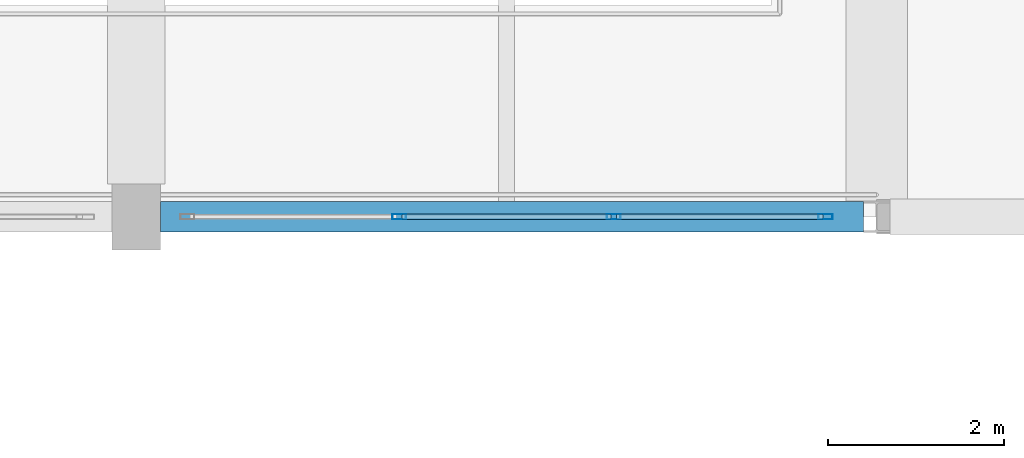
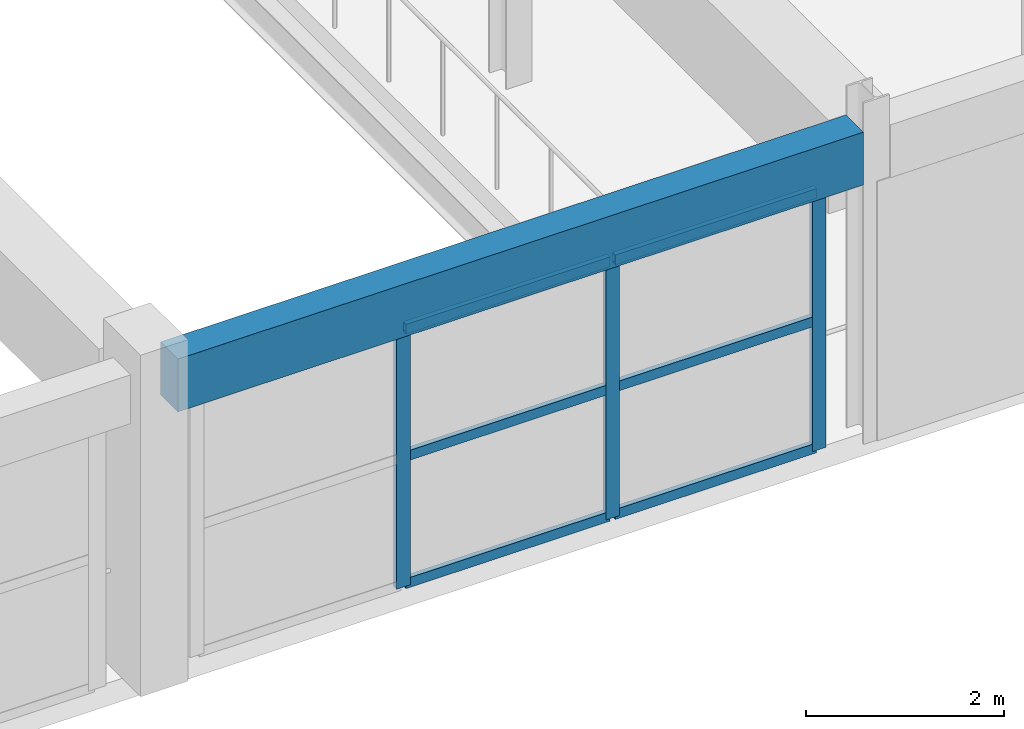
# One storey, part 21 of 71: 9 members, 1 beam, 1 element without a shape of its own.
"""IFC4 building model written with IfcOpenShell, lengths in metres."""

from ifc_helpers import new_model, si_unit, direction, frame, origin, origin_2d, place, context, subcontext, project, spatial, rectangle, hollow_rectangle, extrude, material, material_profile, profile_set, type_object, element, aggregate, save


model = new_model("IFC4")

# Units and contexts
model_context = context("Model", 3, precision=1e-05, world=origin(), true_north=direction((0.0, 1.0)))
body_context = subcontext(model_context, "Body", "Model", "MODEL_VIEW")
ifc_project = project(units=[si_unit("LENGTHUNIT", "METRE"), si_unit("AREAUNIT", "SQUARE_METRE"), si_unit("VOLUMEUNIT", "CUBIC_METRE"), si_unit("PLANEANGLEUNIT", "RADIAN"), si_unit("MASSUNIT", "GRAM", prefix="KILO")], contexts=[model_context])

# Site, building, storey
site_placement = place(None, origin())
site = spatial("IfcSite", under=ifc_project, at=site_placement, CompositionType="ELEMENT")
building_placement = place(site_placement, origin())
building = spatial("IfcBuilding", under=site, at=building_placement, Name="Korsvaeld Concert Hall", CompositionType="ELEMENT")
storey_placement = place(building_placement, frame((0.0, 0.0, 4.800048828125)))
storey = spatial("IfcBuildingStorey", under=building, at=storey_placement, Name="L01", CompositionType="ELEMENT", Elevation=4.800048828125)

# Beam
ifc_material_1 = material(Name="Concrete C35/45", Category="concrete")
ifc_material_profile_1 = material_profile(ifc_material_1, rectangle(XDim=0.35009765625, YDim=0.64990234375, at=origin_2d()), Name="RC 350x650")
ifc_profile_set_1 = profile_set([ifc_material_profile_1], Name="Concrete C35/45")
beam_type = type_object("IfcBeamType", Name="BM-RC-350x650", PredefinedType="T_BEAM", material=ifc_profile_set_1)
beam_placement = place(storey_placement, frame((101.074951171875, 28.800048828125, 3.514892578125), z_axis=(1.0, 0.0, 0.0), x_axis=(0.0, 1.0, 0.0)))
element("IfcBeam", 1, at=beam_placement, inside=storey, type_object=beam_type, Name="Primary girder 14-15/E L01", PredefinedType="T_BEAM", context=body_context, shape_type="SweptSolid", body=[
    extrude(rectangle(XDim=0.35009765625, YDim=0.64990234375, at=origin_2d()), origin(), (0.0, 0.0, 1.0), 7.97509765625),
])

# Curtain wall, members
ifc_material_2 = material(Name="Anodised bronze and ceramic-fritted safety glass", Category="glass")
curtain_wall_type = type_object("IfcCurtainWallType", Name="CW-TYPE-15", PredefinedType="USERDEFINED", material=ifc_material_2)
curtain_wall_placement = place(storey_placement, origin())
curtain_wall = element("IfcCurtainWall", 2, at=curtain_wall_placement, inside=storey, type_object=curtain_wall_type, Name="Wintergarden foyer curtain wall L01-07", ObjectType="CURTAIN WALL", PredefinedType="USERDEFINED")
ifc_material_3 = material(Name="Anodised architectural bronze aluminium", Category="aluminium")
ifc_material_profile_2 = material_profile(ifc_material_3, hollow_rectangle(XDim=0.06005859375, YDim=0.159912109375, WallThickness=0.00390625, at=origin_2d()), Name="CWM 160x60x4")
ifc_profile_set_2 = profile_set([ifc_material_profile_2], Name="Anodised architectural bronze aluminium")
member_type_1 = type_object("IfcMemberType", Name="CWM-ALUM-160x60", PredefinedType="MULLION", material=ifc_profile_set_2)
member_1_placement = place(storey_placement, frame((108.6201171875, 28.800048828125, 0.0), z_axis=(0.0, 0.0, 1.0), x_axis=(0.0, -1.0, 0.0)))
member_1 = element("IfcMember", 3, at=member_1_placement, type_object=member_type_1, Name="CW-15 mullion 1", PredefinedType="MULLION", context=body_context, shape_type="SweptSolid", body=[
    extrude(hollow_rectangle(XDim=0.06005859375, YDim=0.159912109375, WallThickness=0.00390625, at=origin_2d()), origin(), (0.0, 0.0, 1.0), 3.18994140625),
])
member_2_placement = place(storey_placement, frame((106.216552734375, 28.800048828125, 0.0), z_axis=(0.0, 0.0, 1.0), x_axis=(0.0, -1.0, 0.0)))
member_2 = element("IfcMember", 4, at=member_2_placement, type_object=member_type_1, Name="CW-15 mullion 2", PredefinedType="MULLION", context=body_context, shape_type="SweptSolid", body=[
    extrude(hollow_rectangle(XDim=0.06005859375, YDim=0.159912109375, WallThickness=0.00390625, at=origin_2d()), origin(), (0.0, 0.0, 1.0), 3.18994140625),
])
member_3_placement = place(storey_placement, frame((103.783447265625, 28.800048828125, 0.0), z_axis=(0.0, 0.0, 1.0), x_axis=(0.0, -1.0, 0.0)))
member_3 = element("IfcMember", 5, at=member_3_placement, type_object=member_type_1, Name="CW-15 mullion 3", PredefinedType="MULLION", context=body_context, shape_type="SweptSolid", body=[
    extrude(hollow_rectangle(XDim=0.06005859375, YDim=0.159912109375, WallThickness=0.00390625, at=origin_2d()), origin(), (0.0, 0.0, 1.0), 3.18994140625),
])
ifc_material_profile_3 = material_profile(ifc_material_3, hollow_rectangle(XDim=0.06005859375, YDim=0.1201171875, WallThickness=0.00390625, at=origin_2d()), Name="CWT 120x60x4")
ifc_profile_set_3 = profile_set([ifc_material_profile_3], Name="Anodised architectural bronze aluminium")
member_type_2 = type_object("IfcMemberType", Name="CWT-ALUM-120x60", PredefinedType="USERDEFINED", material=ifc_profile_set_3)
member_4_placement = place(storey_placement, frame((108.590087890625, 28.800048828125, 0.030029296875), z_axis=(-1.0, 0.0, 0.0), x_axis=(0.0, -1.0, 0.0)))
member_4 = element("IfcMember", 6, at=member_4_placement, type_object=member_type_2, Name="CW-15 transom 1.1", ObjectType="TRANSOM", PredefinedType="USERDEFINED", context=body_context, shape_type="SweptSolid", body=[
    extrude(hollow_rectangle(XDim=0.06005859375, YDim=0.1201171875, WallThickness=0.00390625, at=origin_2d()), origin(), (0.0, 0.0, 1.0), 2.343505859375),
])
member_5_placement = place(storey_placement, frame((108.590087890625, 28.800048828125, 1.594970703125), z_axis=(-1.0, 0.0, 0.0), x_axis=(0.0, -1.0, 0.0)))
member_5 = element("IfcMember", 7, at=member_5_placement, type_object=member_type_2, Name="CW-15 transom 1.2", ObjectType="TRANSOM", PredefinedType="USERDEFINED", context=body_context, shape_type="SweptSolid", body=[
    extrude(hollow_rectangle(XDim=0.06005859375, YDim=0.1201171875, WallThickness=0.00390625, at=origin_2d()), origin(), (0.0, 0.0, 1.0), 2.343505859375),
])
member_6_placement = place(storey_placement, frame((108.590087890625, 28.800048828125, 3.159912109375), z_axis=(-1.0, 0.0, 0.0), x_axis=(0.0, -1.0, 0.0)))
member_6 = element("IfcMember", 8, at=member_6_placement, type_object=member_type_2, Name="CW-15 transom 1.3", ObjectType="TRANSOM", PredefinedType="USERDEFINED", context=body_context, shape_type="SweptSolid", body=[
    extrude(hollow_rectangle(XDim=0.06005859375, YDim=0.1201171875, WallThickness=0.00390625, at=origin_2d()), origin(), (0.0, 0.0, 1.0), 2.343505859375),
])
member_7_placement = place(storey_placement, frame((106.186767578125, 28.800048828125, 0.030029296875), z_axis=(-1.0, 0.0, 0.0), x_axis=(0.0, -1.0, 0.0)))
member_7 = element("IfcMember", 9, at=member_7_placement, type_object=member_type_2, Name="CW-15 transom 2.1", ObjectType="TRANSOM", PredefinedType="USERDEFINED", context=body_context, shape_type="SweptSolid", body=[
    extrude(hollow_rectangle(XDim=0.06005859375, YDim=0.1201171875, WallThickness=0.00390625, at=origin_2d()), origin(), (0.0, 0.0, 1.0), 2.37353515625),
])
member_8_placement = place(storey_placement, frame((106.186767578125, 28.800048828125, 1.594970703125), z_axis=(-1.0, 0.0, 0.0), x_axis=(0.0, -1.0, 0.0)))
member_8 = element("IfcMember", 10, at=member_8_placement, type_object=member_type_2, Name="CW-15 transom 2.2", ObjectType="TRANSOM", PredefinedType="USERDEFINED", context=body_context, shape_type="SweptSolid", body=[
    extrude(hollow_rectangle(XDim=0.06005859375, YDim=0.1201171875, WallThickness=0.00390625, at=origin_2d()), origin(), (0.0, 0.0, 1.0), 2.37353515625),
])
member_9_placement = place(storey_placement, frame((106.186767578125, 28.800048828125, 3.159912109375), z_axis=(-1.0, 0.0, 0.0), x_axis=(0.0, -1.0, 0.0)))
member_9 = element("IfcMember", 11, at=member_9_placement, type_object=member_type_2, Name="CW-15 transom 2.3", ObjectType="TRANSOM", PredefinedType="USERDEFINED", context=body_context, shape_type="SweptSolid", body=[
    extrude(hollow_rectangle(XDim=0.06005859375, YDim=0.1201171875, WallThickness=0.00390625, at=origin_2d()), origin(), (0.0, 0.0, 1.0), 2.37353515625),
])
aggregate(curtain_wall, [member_1, member_2, member_3, member_4, member_5, member_6, member_7, member_8, member_9])

save(model, "model.ifc")
